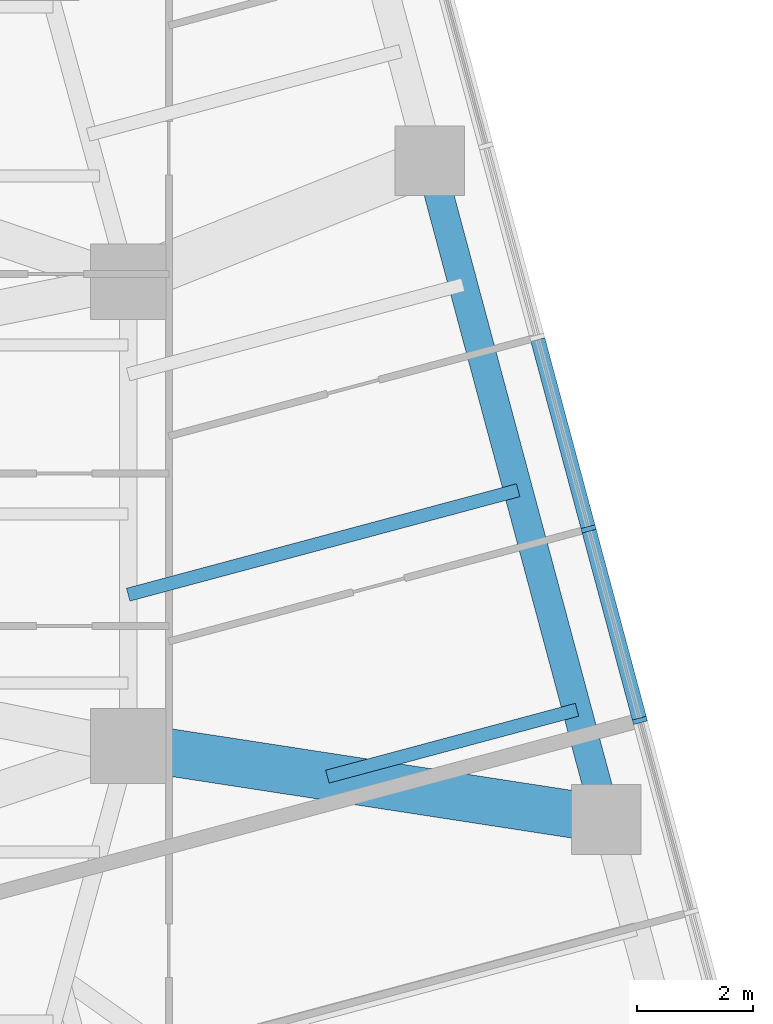
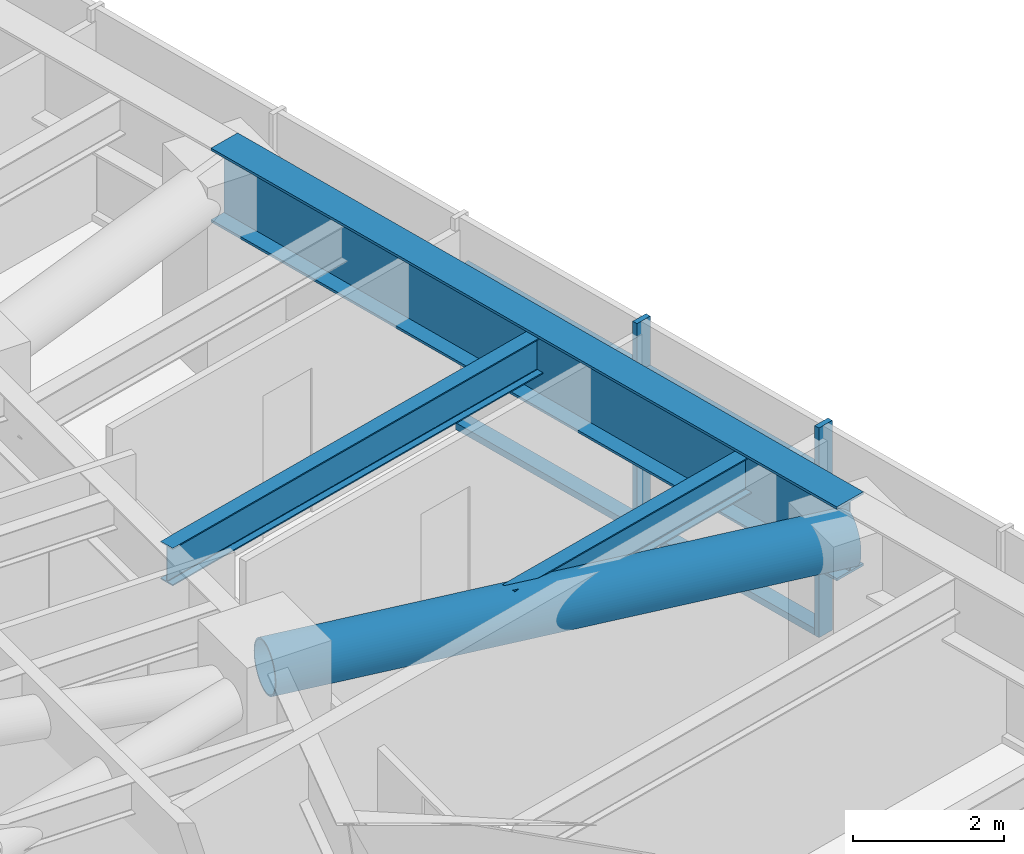
# One storey, part 5 of 18: 7 members, 3 beams, 1 element without a shape of its own.
"""IFC4 building model written with IfcOpenShell, lengths in metres."""

from ifc_helpers import new_model, si_unit, direction, frame, origin, origin_2d, place, context, subcontext, project, spatial, rectangle, hollow_circle, i_section, extrude, material, material_profile, profile_set, type_object, element, aggregate, save


model = new_model("IFC4")

# Units and contexts
model_context = context("Model", 3, precision=1e-05, world=origin(), true_north=direction((0.0, 1.0)))
body_context = subcontext(model_context, "Body", "Model", "MODEL_VIEW")
ifc_project = project(units=[si_unit("LENGTHUNIT", "METRE"), si_unit("AREAUNIT", "SQUARE_METRE"), si_unit("VOLUMEUNIT", "CUBIC_METRE"), si_unit("PLANEANGLEUNIT", "RADIAN"), si_unit("MASSUNIT", "GRAM", prefix="KILO")], contexts=[model_context])

# Site, building, storey
site_placement = place(None, origin())
site = spatial("IfcSite", under=ifc_project, at=site_placement, CompositionType="ELEMENT")
building_placement = place(site_placement, origin())
building = spatial("IfcBuilding", under=site, at=building_placement, Name="Torsade Residences", CompositionType="ELEMENT")
storey_placement = place(building_placement, frame((0.0, 0.0, 135.39990234375)))
storey = spatial("IfcBuildingStorey", under=building, at=storey_placement, Name="L37", CompositionType="ELEMENT", Elevation=135.39990234375)

# Curtain wall, members
ifc_material_1 = material(Name="Aluminium and glass", Category="aluminium")
curtain_wall_type = type_object("IfcCurtainWallType", Name="FRITTED GLASS CURTAIN WALL MID ZONE", PredefinedType="NOTDEFINED", material=ifc_material_1)
curtain_wall_placement = place(storey_placement, origin())
curtain_wall = element("IfcCurtainWall", 1, at=curtain_wall_placement, inside=storey, type_object=curtain_wall_type, Name="Curtain wall L37 face 4", PredefinedType="NOTDEFINED")
ifc_material_2 = material(Name="Aluminium mullion", Category="aluminium")
ifc_material_profile_1 = material_profile(ifc_material_2, rectangle(XDim=0.25, YDim=0.080078125, at=origin_2d()), Name="MID ZONE CURTAIN WALL MULLION 250x80")
ifc_profile_set_1 = profile_set([ifc_material_profile_1], Name="Aluminium mullion")
member_type_1 = type_object("IfcMemberType", Name="MID ZONE CURTAIN WALL MULLION 250x80", PredefinedType="MULLION", material=ifc_profile_set_1)
member_1_placement = place(storey_placement, frame((66.318115234375, 26.4404296875, 0.0), z_axis=(0.0, 0.0, 1.0), x_axis=(-0.965925825571, -0.258819047783, 0.0)))
member_1 = element("IfcMember", 2, at=member_1_placement, type_object=member_type_1, Name="Mullion 4", PredefinedType="MULLION", context=body_context, shape_type="SweptSolid", body=[
    extrude(rectangle(XDim=0.25, YDim=0.080078125, at=origin_2d()), origin(), (0.0, 0.0, 1.0), 3.400146484375),
])
member_2_placement = place(storey_placement, frame((65.433837890625, 29.740478515625, 0.0), z_axis=(0.0, 0.0, 1.0), x_axis=(-0.965925825571, -0.258819047783, 0.0)))
member_2 = element("IfcMember", 3, at=member_2_placement, type_object=member_type_1, Name="Mullion 5", PredefinedType="MULLION", context=body_context, shape_type="SweptSolid", body=[
    extrude(rectangle(XDim=0.25, YDim=0.080078125, at=origin_2d()), origin(), (0.0, 0.0, 1.0), 3.400146484375),
])
ifc_material_3 = material(Name="Aluminium transom", Category="aluminium")
ifc_material_profile_2 = material_profile(ifc_material_3, rectangle(XDim=0.25, YDim=0.110107421875, at=origin_2d()), Name="MID ZONE CURTAIN WALL TRANSOM 250x110")
ifc_profile_set_2 = profile_set([ifc_material_profile_2], Name="Aluminium transom")
member_type_2 = type_object("IfcMemberType", Name="MID ZONE CURTAIN WALL TRANSOM 250x110", PredefinedType="USERDEFINED", material=ifc_profile_set_2)
member_3_placement = place(storey_placement, frame((66.3076171875, 26.47900390625, 0.05517578125), z_axis=(-0.258805576255, 0.965929435155, 0.0), x_axis=(-0.965929435155, -0.258805576255, 0.0)))
member_3 = element("IfcMember", 4, at=member_3_placement, type_object=member_type_2, Name="Transom 4.1", ObjectType="TRANSOM", PredefinedType="USERDEFINED", context=body_context, shape_type="SweptSolid", body=[
    extrude(rectangle(XDim=0.25, YDim=0.110107421875, at=origin_2d()), origin(), (0.0, 0.0, 1.0), 3.336669921875),
])
member_4_placement = place(storey_placement, frame((66.3076171875, 26.47900390625, 2.55517578125), z_axis=(-0.258805576255, 0.965929435155, 0.0), x_axis=(-0.965929435155, -0.258805576255, 0.0)))
member_4 = element("IfcMember", 5, at=member_4_placement, type_object=member_type_2, Name="Transom 4.2", ObjectType="TRANSOM", PredefinedType="USERDEFINED", context=body_context, shape_type="SweptSolid", body=[
    extrude(rectangle(XDim=0.25, YDim=0.110107421875, at=origin_2d()), origin(), (0.0, 0.0, 1.0), 3.336669921875),
])
member_5_placement = place(storey_placement, frame((65.42333984375, 29.779296875, 0.05517578125), z_axis=(-0.258805576255, 0.965929435155, 0.0), x_axis=(-0.965929435155, -0.258805576255, 0.0)))
member_5 = element("IfcMember", 6, at=member_5_placement, type_object=member_type_2, Name="Transom 5.1", ObjectType="TRANSOM", PredefinedType="USERDEFINED", context=body_context, shape_type="SweptSolid", body=[
    extrude(rectangle(XDim=0.25, YDim=0.110107421875, at=origin_2d()), origin(), (0.0, 0.0, 1.0), 3.336669921875),
])
member_6_placement = place(storey_placement, frame((65.42333984375, 29.779296875, 2.55517578125), z_axis=(-0.258805576255, 0.965929435155, 0.0), x_axis=(-0.965929435155, -0.258805576255, 0.0)))
member_6 = element("IfcMember", 7, at=member_6_placement, type_object=member_type_2, Name="Transom 5.2", ObjectType="TRANSOM", PredefinedType="USERDEFINED", context=body_context, shape_type="SweptSolid", body=[
    extrude(rectangle(XDim=0.25, YDim=0.110107421875, at=origin_2d()), origin(), (0.0, 0.0, 1.0), 3.336669921875),
])
aggregate(curtain_wall, [member_1, member_2, member_3, member_4, member_5, member_6])

# Beams
ifc_material_4 = material(Name="Steel grade 300", Category="steel")
ifc_material_profile_3 = material_profile(ifc_material_4, i_section(OverallWidth=0.22900390625, OverallDepth=0.612060546875, WebThickness=0.011962890625, FlangeThickness=0.01953125, FilletRadius=0.013916015625, at=origin_2d()), Name="610UB125")
ifc_profile_set_3 = profile_set([ifc_material_profile_3], Name="Steel grade 300")
beam_type_1 = type_object("IfcBeamType", Name="SECONDARY BEAM 610UB125", PredefinedType="JOIST", material=ifc_profile_set_3)
beam_1_placement = place(storey_placement, frame((65.233642578125, 26.624267578125, 2.89404296875), z_axis=(-0.965921124784, -0.258836590722, 0.0), x_axis=(0.258836590722, -0.965921124784, 0.0)))
element("IfcBeam", 8, at=beam_1_placement, inside=storey, type_object=beam_type_1, Name="Floor beam FE04 L38", PredefinedType="JOIST", context=body_context, shape_type="SweptSolid", body=[
    extrude(i_section(OverallWidth=0.22900390625, OverallDepth=0.612060546875, WebThickness=0.011962890625, FlangeThickness=0.01953125, FilletRadius=0.013916015625, at=origin_2d()), origin(), (0.0, 0.0, 1.0), 4.451904296875),
])
beam_2_placement = place(storey_placement, frame((64.2197265625, 30.407470703125, 2.89404296875), z_axis=(-0.965926120836, -0.258817945835, 0.0), x_axis=(0.258817945835, -0.965926120836, 0.0)))
element("IfcBeam", 9, at=beam_2_placement, inside=storey, type_object=beam_type_1, Name="Floor beam FE05 L38", PredefinedType="JOIST", context=body_context, shape_type="SweptSolid", body=[
    extrude(i_section(OverallWidth=0.22900390625, OverallDepth=0.612060546875, WebThickness=0.011962890625, FlangeThickness=0.01953125, FilletRadius=0.013916015625, at=origin_2d()), origin(), (0.0, 0.0, 1.0), 6.956787109375),
])

# Member
ifc_material_5 = material(Name="Steel grade 450", Category="steel")
ifc_material_profile_4 = material_profile(ifc_material_5, hollow_circle(Radius=0.406494140625, WallThickness=0.02490234375, at=origin_2d()), Name="813.0x25.0CHS")
ifc_profile_set_4 = profile_set([ifc_material_profile_4], Name="Steel grade 450")
member_type_3 = type_object("IfcMemberType", Name="TRANSFER FLOOR STRUT 813.0x25.0CHS", PredefinedType="STRUT", material=ifc_profile_set_4)
member_7_placement = place(storey_placement, frame((65.740478515625, 24.732666015625, 2.800048828125), z_axis=(-0.98837948251, 0.152006574044, 0.0), x_axis=(-0.152006574044, -0.98837948251, 0.0)))
element("IfcMember", 10, at=member_7_placement, inside=storey, type_object=member_type_3, Name="Transfer floor strut TT4 bottom 06IR01", PredefinedType="STRUT", context=body_context, shape_type="SweptSolid", body=[
    extrude(hollow_circle(Radius=0.406494140625, WallThickness=0.02490234375, at=origin_2d()), origin(), (0.0, 0.0, 1.0), 8.33740234375),
])

# Beam
ifc_material_6 = material(Name="Steel grade 300", Category="steel")
ifc_material_profile_5 = material_profile(ifc_material_6, i_section(OverallWidth=0.5, OverallDepth=1.199951171875, WebThickness=0.01611328125, FlangeThickness=0.0400390625, at=origin_2d()), Name="1200WB455")
ifc_profile_set_5 = profile_set([ifc_material_profile_5], Name="Steel grade 300")
beam_type_2 = type_object("IfcBeamType", Name="TRANSFER TRUSS CHORD 1200WB455", PredefinedType="USERDEFINED", material=ifc_profile_set_5)
beam_3_placement = place(storey_placement, frame((65.740478515625, 24.732666015625, 2.800048828125), z_axis=(-0.258830249097, 0.965922824118, 0.0), x_axis=(-0.965922824118, -0.258830249097, 0.0)))
element("IfcBeam", 11, at=beam_3_placement, inside=storey, type_object=beam_type_2, Name="Transfer truss TT4 bottom chord 06", ObjectType="TRANSFER TRUSS CHORD", PredefinedType="USERDEFINED", context=body_context, shape_type="SweptSolid", body=[
    extrude(i_section(OverallWidth=0.5, OverallDepth=1.199951171875, WebThickness=0.01611328125, FlangeThickness=0.0400390625, at=origin_2d()), origin(), (0.0, 0.0, 1.0), 11.75),
])

save(model, "model.ifc")
